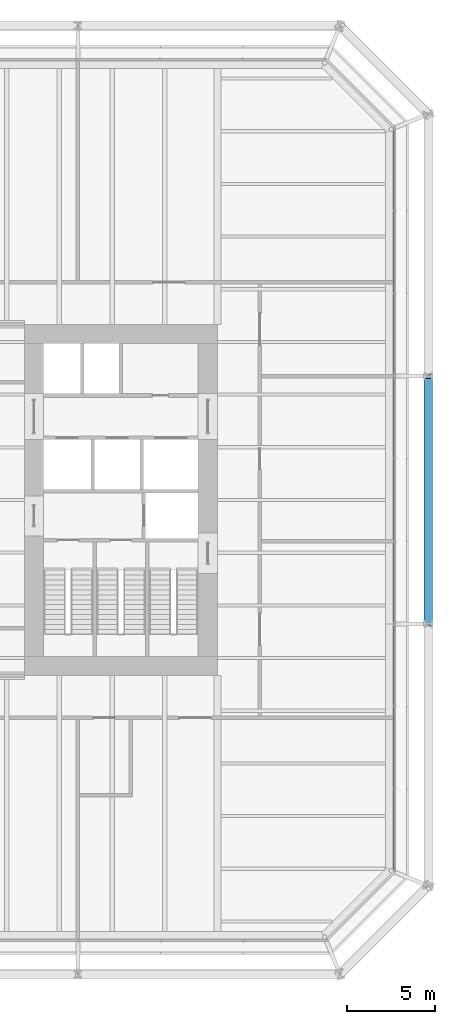
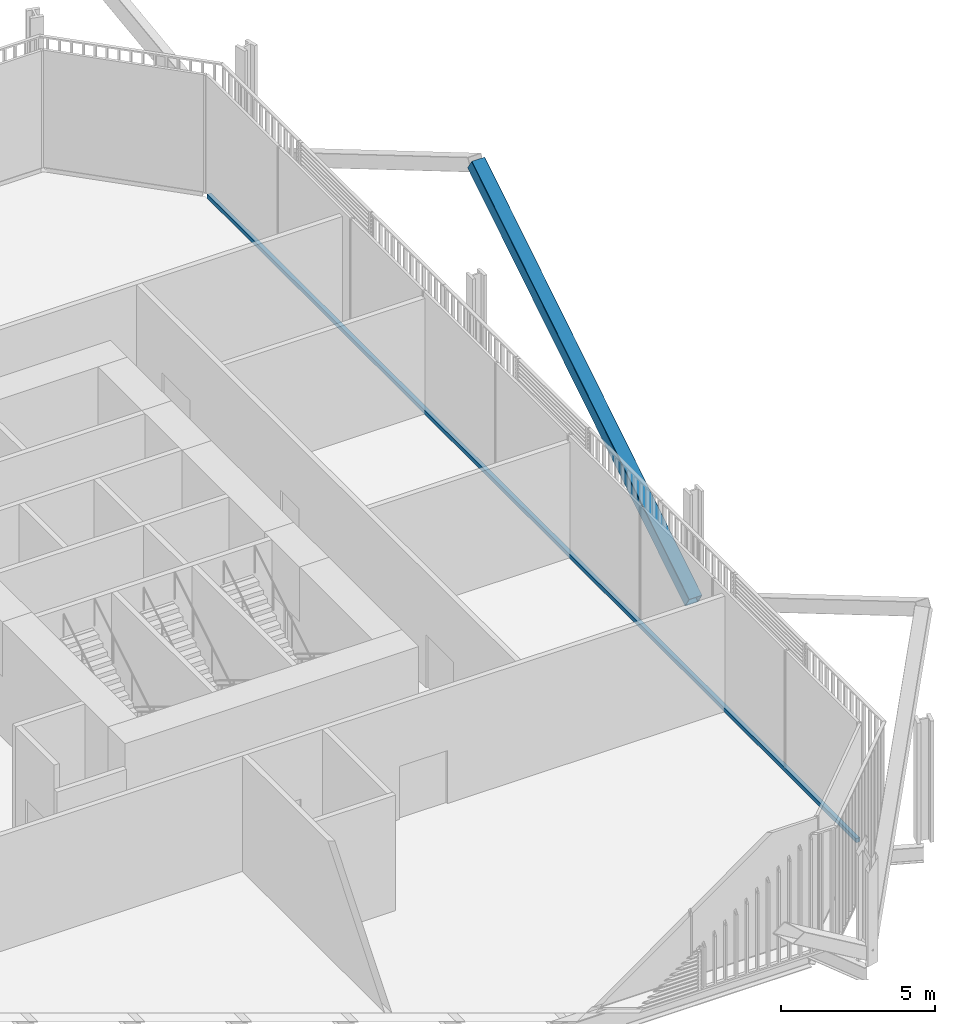
# One storey, part 10 of 22: 2 members, 1 element without a shape of its own.
"""IFC4 building model written with IfcOpenShell, lengths in metres."""

from ifc_helpers import new_model, si_unit, direction, frame, origin, origin_2d, place, context, subcontext, project, spatial, rectangle, hollow_rectangle, extrude, material, layer, layer_set, material_profile, profile_set, type_object, element, aggregate, save


model = new_model("IFC4")

# Units and contexts
model_context = context("Model", 3, precision=1e-05, world=origin(), true_north=direction((0.0, 1.0)))
body_context = subcontext(model_context, "Body", "Model", "MODEL_VIEW")
ifc_project = project(units=[si_unit("LENGTHUNIT", "METRE"), si_unit("AREAUNIT", "SQUARE_METRE"), si_unit("VOLUMEUNIT", "CUBIC_METRE"), si_unit("PLANEANGLEUNIT", "RADIAN"), si_unit("MASSUNIT", "GRAM", prefix="KILO")], contexts=[model_context])

# Site, building, storey
site_placement = place(None, origin())
site = spatial("IfcSite", under=ifc_project, at=site_placement, CompositionType="ELEMENT")
building_placement = place(site_placement, origin())
building = spatial("IfcBuilding", under=site, at=building_placement, Name="Millrace Tower", CompositionType="ELEMENT")
storey_placement = place(building_placement, frame((0.0, 0.0, 54.5)))
storey = spatial("IfcBuildingStorey", under=building, at=storey_placement, Name="L12", CompositionType="ELEMENT", Elevation=54.5)

# Curtain wall, member
ifc_material_1 = material(Name="Aluminium and glass", Category="aluminium")
ifc_layer = layer(ifc_material_1, 0.14990234375)
ifc_layer_set = layer_set([ifc_layer], Name="Aluminium and glass")
curtain_wall_type = type_object("IfcCurtainWallType", Name="CW-2 data hall insulated curtain wall", PredefinedType="NOTDEFINED", material=ifc_layer_set)
curtain_wall_placement = place(storey_placement, origin())
curtain_wall = element("IfcCurtainWall", 1, at=curtain_wall_placement, inside=storey, type_object=curtain_wall_type, Name="Curtain wall A-F04 L12", PredefinedType="NOTDEFINED")
ifc_material_2 = material(Name="Aluminium", Category="aluminium")
ifc_material_profile_1 = material_profile(ifc_material_2, rectangle(XDim=0.14990234375, YDim=0.159912109375, at=origin_2d()))
ifc_profile_set_1 = profile_set([ifc_material_profile_1], Name="Aluminium")
member_type_1 = type_object("IfcMemberType", Name="CW-2 data hall insulated curtain wall transom", PredefinedType="USERDEFINED", material=ifc_profile_set_1)
member_1_placement = place(storey_placement, frame((25.074951171875, -21.050048828125, 0.080078125), z_axis=(0.0, 1.0, 0.0), x_axis=(-1.0, 0.0, 0.0)))
member_1 = element("IfcMember", 2, at=member_1_placement, type_object=member_type_1, Name="CW2 transom A-F04.1", ObjectType="TRANSOM", PredefinedType="USERDEFINED", context=body_context, shape_type="SweptSolid", body=[
    extrude(rectangle(XDim=0.14990234375, YDim=0.159912109375, at=origin_2d()), origin(), (0.0, 0.0, 1.0), 42.10009765625),
])
aggregate(curtain_wall, [member_1])

# Member
ifc_material_3 = material(Name="Steel ASTM A500 Grade C", Category="steel")
ifc_material_profile_2 = material_profile(ifc_material_3, hollow_rectangle(XDim=0.508056640625, YDim=0.508056640625, WallThickness=0.01904296875, InnerFilletRadius=0.009521484375, OuterFilletRadius=0.028564453125, at=origin_2d()))
ifc_profile_set_2 = profile_set([ifc_material_profile_2], Name="Steel ASTM A500 Grade C")
member_type_2 = type_object("IfcMemberType", Name="Exoskeleton brace HSS20x20x3/4", PredefinedType="BRACE", material=ifc_profile_set_2)
member_2_placement = place(storey_placement, frame((27.0, -7.050048828125, 0.39990234375), z_axis=(0.0, 0.848336468551, 0.529457492276), x_axis=(-1.0, 0.0, 0.0)))
element("IfcMember", 3, at=member_2_placement, inside=storey, type_object=member_type_2, Name="BRC-A-L12-07", PredefinedType="BRACE", context=body_context, shape_type="SweptSolid", body=[
    extrude(hollow_rectangle(XDim=0.508056640625, YDim=0.508056640625, WallThickness=0.01904296875, InnerFilletRadius=0.009521484375, OuterFilletRadius=0.028564453125, at=origin_2d()), origin(), (0.0, 0.0, 1.0), 16.620849609375),
])

save(model, "model.ifc")
